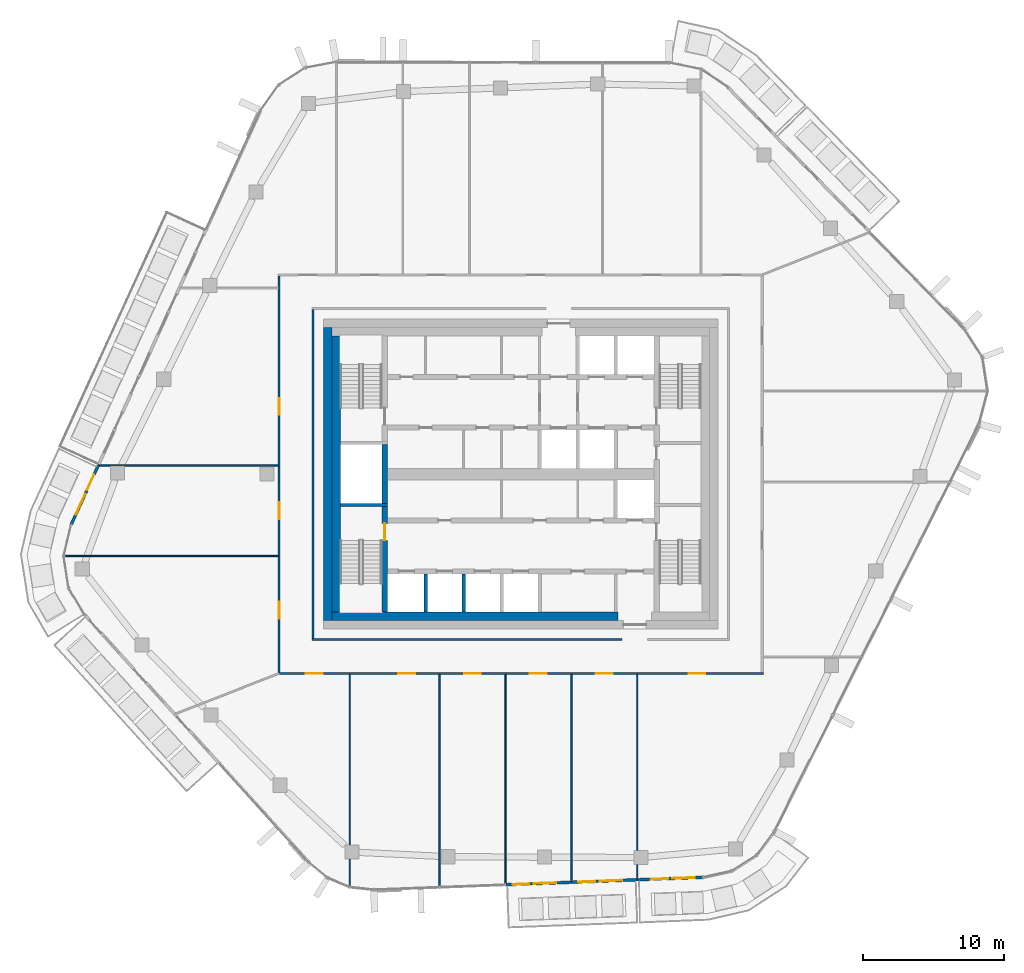
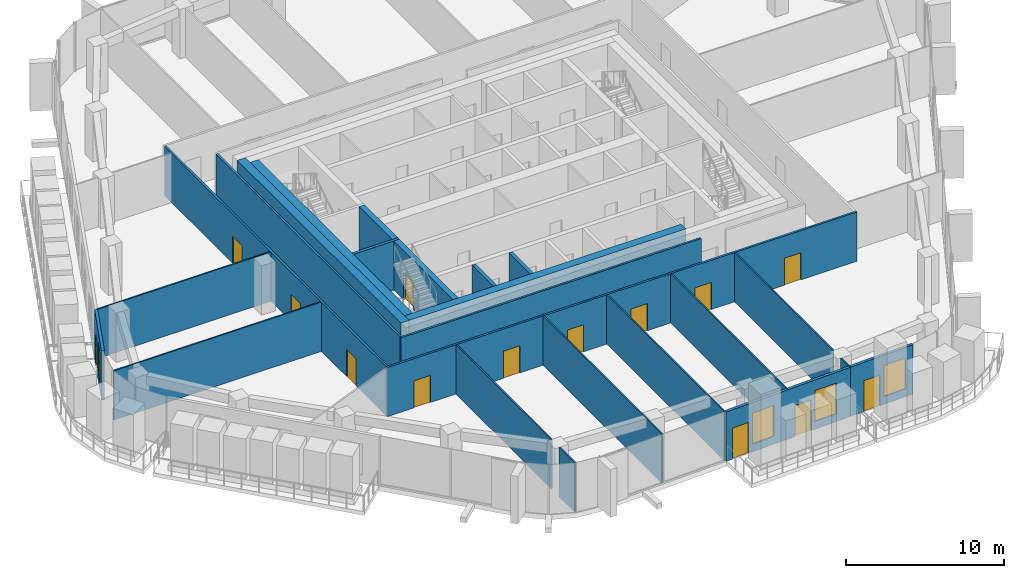
# One storey, part 13 of 23: 24 walls, 14 doors, 4 windows, 18 openings.
"""IFC4 building model written with IfcOpenShell, lengths in metres."""

import ifcopenshell
import ifcopenshell.guid

model = None  # the IFC model being written
_history = None  # IfcOwnerHistory: only IFC2X3 demands one
_inside = {}  # id of a spatial element -> (the spatial element, [elements in it])
_under = {}  # id of a project, library or spatial element -> (it, [spatial elements below it])
_declared = {}  # id of a project -> (the project, [libraries it declares])
_typed = {}  # id of a type object -> (the type object, [elements of that type])
_made_of = {}  # id of a material, layer set ... -> (it, [elements and type objects made of it])


def new_model(schema):
    """Start an empty IFC model of exactly this schema.

    Asked for "IFC4X3", IfcOpenShell would pick the latest addendum, in which some entities
    have other attributes; the version numbers below select the first issue.
    IFC2X3 requires an IfcOwnerHistory on every rooted entity: one is made here for all.
    """
    global model, _history
    if schema == "IFC4X3":
        model = ifcopenshell.file(schema_version=(4, 3, 0, 0))
    else:
        model = ifcopenshell.file(schema=schema)
    _inside.clear()
    _under.clear()
    _declared.clear()
    _typed.clear()
    _made_of.clear()
    _history = None
    if model.schema == "IFC2X3":
        org = make("IfcOrganization", Name="unknown")
        user = make(
            "IfcPersonAndOrganization",
            ThePerson=make("IfcPerson", FamilyName="unknown"),
            TheOrganization=org,
        )
        app = make(
            "IfcApplication",
            ApplicationDeveloper=org,
            Version="unknown",
            ApplicationFullName="unknown",
            ApplicationIdentifier="unknown",
        )
        _history = make(
            "IfcOwnerHistory",
            OwningUser=user,
            OwningApplication=app,
            ChangeAction="ADDED",
            CreationDate=0,
        )
    return model


def make(cls, **values):
    """One entity of the class cls with the attributes given. An attribute that is None is left unset."""
    return model.create_entity(
        cls, **{name: value for name, value in values.items() if value is not None}
    )


def rooted(cls, **values):
    """An entity with a GlobalId (a new one), such as an element, a storey or a relation."""
    return make(cls, GlobalId=ifcopenshell.guid.new(), OwnerHistory=_history, **values)


def si_unit(unit_type, name, prefix=None):
    """IfcSIUnit, for example si_unit("LENGTHUNIT", "METRE", prefix="MILLI")."""
    return make("IfcSIUnit", UnitType=unit_type, Prefix=prefix, Name=name)


def assignment(units):
    """IfcUnitAssignment: the units of a project."""
    return None if units is None else make("IfcUnitAssignment", Units=units)


def point(xyz):
    """IfcCartesianPoint."""
    return None if xyz is None else make("IfcCartesianPoint", Coordinates=xyz)


def direction(xyz):
    """IfcDirection."""
    return None if xyz is None else make("IfcDirection", DirectionRatios=xyz)


def frame(location, z_axis=None, x_axis=None):
    """IfcAxis2Placement3D, a coordinate frame: its origin and axes. An axis left out is left unset."""
    return make(
        "IfcAxis2Placement3D",
        Location=point(location),
        Axis=direction(z_axis),
        RefDirection=direction(x_axis),
    )


def frame_2d(location, x_axis=None):
    """IfcAxis2Placement2D, a coordinate frame in the plane: its origin and x axis."""
    return make(
        "IfcAxis2Placement2D", Location=point(location), RefDirection=direction(x_axis)
    )


def origin():
    """The frame at (0, 0, 0) with its axes left unset."""
    return frame((0.0, 0.0, 0.0))


def place(relative_to, where):
    """IfcLocalPlacement: puts the frame where relative to a parent placement (None: the world)."""
    return make(
        "IfcLocalPlacement", PlacementRelTo=relative_to, RelativePlacement=where
    )


def context(
    kind, dimensions, precision=None, world=None, true_north=None, identifier=None
):
    """IfcGeometricRepresentationContext, for example the 3D "Model" context."""
    return make(
        "IfcGeometricRepresentationContext",
        ContextIdentifier=identifier,
        ContextType=kind,
        CoordinateSpaceDimension=dimensions,
        Precision=precision,
        WorldCoordinateSystem=world,
        TrueNorth=true_north,
    )


def subcontext(parent, identifier, kind, view, scale=None):
    """IfcGeometricRepresentationSubContext, for example "Body" below "Model"."""
    return make(
        "IfcGeometricRepresentationSubContext",
        ContextIdentifier=identifier,
        ContextType=kind,
        ParentContext=parent,
        TargetScale=scale,
        TargetView=view,
    )


def project(units=None, contexts=None):
    """IfcProject with its units and contexts."""
    return rooted(
        "IfcProject",
        Name="project",
        RepresentationContexts=contexts,
        UnitsInContext=assignment(units),
    )


def spatial(cls, under=None, at=None, **own):
    """A site, building, storey or space (cls), placed at a placement, below another one or the project."""
    s = rooted(cls, ObjectPlacement=at, **own)
    if under is not None:
        _under.setdefault(under.id(), (under, []))[1].append(s)
    return s


def profile(cls, at=None, kind="AREA", **sizes):
    """A parametric profile (cls). Its sizes go by their IFC names, for example OverallWidth=200.0."""
    return make(cls, ProfileType=kind, Position=at, **sizes)


def rectangle(**sizes):
    """IfcRectangleProfileDef."""
    return profile("IfcRectangleProfileDef", **sizes)


def extrude(swept, where, along, depth):
    """IfcExtrudedAreaSolid: the profile swept, set in the frame where, extruded along a direction by depth."""
    return make(
        "IfcExtrudedAreaSolid",
        SweptArea=swept,
        Position=where,
        ExtrudedDirection=direction(along),
        Depth=depth,
    )


def shape(context_of_items, identifier, shape_type, items):
    """IfcShapeRepresentation: the items that make up one representation, for example the "Body"."""
    return make(
        "IfcShapeRepresentation",
        ContextOfItems=context_of_items,
        RepresentationIdentifier=identifier,
        RepresentationType=shape_type,
        Items=items,
    )


def material(Name=None, Category=None):
    """IfcMaterial."""
    return make("IfcMaterial", Name=Name, Category=Category)


def layer(
    of_material, thickness, ventilated=None, Name=None, Category=None, Priority=None
):
    """IfcMaterialLayer: one layer of a wall or slab, of a material (None: an air gap)."""
    return make(
        "IfcMaterialLayer",
        Material=of_material,
        LayerThickness=thickness,
        IsVentilated=ventilated,
        Name=Name,
        Category=Category,
        Priority=Priority,
    )


def layer_set(layers, Name=None):
    """IfcMaterialLayerSet."""
    return make("IfcMaterialLayerSet", MaterialLayers=layers, LayerSetName=Name)


def made_of(thing, what):
    """Note that an element or type object is made of a material, layer set ...; save() writes the relation."""
    if what is not None:
        _made_of.setdefault(what.id(), (what, []))[1].append(thing)
    return thing


def type_object(cls, material=None, **own):
    """A type object (cls), such as IfcWallType, which elements share."""
    return made_of(rooted(cls, **own), material)


def element(
    cls,
    number,
    at=None,
    inside=None,
    cuts=None,
    type_object=None,
    material=None,
    context=None,
    identifier="Body",
    shape_type=None,
    held_by="IfcProductDefinitionShape",
    body=None,
    shapes=None,
    **own,
):
    """One element of the class cls, such as IfcWall. Its Tag is "e" and its number.

    at: its placement. inside: the storey or other place that contains it. cuts: it is an
    opening in that element (IfcRelVoidsElement). A single representation is given by context,
    identifier, shape_type and body (its items); several are given by shapes. held_by: the class
    of the entity that holds the representations. save() writes the other relations.
    """
    e = rooted(cls, Tag="e%d" % number, ObjectPlacement=at, **own)
    if body is not None:
        shapes = [shape(context, identifier, shape_type, body)]
    if shapes is not None:
        e.Representation = make(held_by, Representations=shapes)
    if inside is not None:
        _inside.setdefault(inside.id(), (inside, []))[1].append(e)
    if cuts is not None:
        rooted(
            "IfcRelVoidsElement", RelatingBuildingElement=cuts, RelatedOpeningElement=e
        )
    if type_object is not None:
        _typed.setdefault(type_object.id(), (type_object, []))[1].append(e)
    return made_of(e, material)


def fill(opening, filler):
    """IfcRelFillsElement: the door or window that sits in an opening."""
    return rooted(
        "IfcRelFillsElement",
        RelatingOpeningElement=opening,
        RelatedBuildingElement=filler,
    )


def aggregate(whole, parts):
    """IfcRelAggregates: a whole, such as a stair, and the parts it consists of."""
    return rooted("IfcRelAggregates", RelatingObject=whole, RelatedObjects=parts)


def save(model, path):
    """Write the relations noted so far, then the file.

    IfcRelAggregates (storeys below a building ...), IfcRelContainedInSpatialStructure (elements
    in a storey), IfcRelDefinesByType, IfcRelAssociatesMaterial and IfcRelDeclares: one each for
    every whole, place, type object, material and project.
    """
    for whole, parts in _under.values():
        aggregate(whole, parts)
    for where, things in _inside.values():
        rooted(
            "IfcRelContainedInSpatialStructure",
            RelatedElements=things,
            RelatingStructure=where,
        )
    for kind, things in _typed.values():
        rooted("IfcRelDefinesByType", RelatedObjects=things, RelatingType=kind)
    for what, things in _made_of.values():
        rooted("IfcRelAssociatesMaterial", RelatedObjects=things, RelatingMaterial=what)
    for by, libraries in _declared.values():
        rooted("IfcRelDeclares", RelatingContext=by, RelatedDefinitions=libraries)
    model.write(path)


model = new_model("IFC4")

# Units and contexts
model_context = context("Model", 3, precision=1e-05, world=origin(), true_north=direction((0.0, 1.0)))
body_context = subcontext(model_context, "Body", "Model", "MODEL_VIEW")
ifc_project = project(units=[si_unit("LENGTHUNIT", "METRE"), si_unit("AREAUNIT", "SQUARE_METRE"), si_unit("VOLUMEUNIT", "CUBIC_METRE"), si_unit("PLANEANGLEUNIT", "RADIAN"), si_unit("MASSUNIT", "GRAM", prefix="KILO")], contexts=[model_context])

# Site, building, storey
site_placement = place(None, origin())
site = spatial("IfcSite", under=ifc_project, at=site_placement, CompositionType="ELEMENT")
building_placement = place(site_placement, origin())
building = spatial("IfcBuilding", under=site, at=building_placement, Name="Dongbaek Canopy Tower", CompositionType="ELEMENT")
storey_placement = place(building_placement, frame((0.0, 0.0, 315.199951171875)))
storey = spatial("IfcBuildingStorey", under=building, at=storey_placement, Name="L67", CompositionType="ELEMENT", Elevation=315.199951171875)

# Walls
ifc_material_1 = material(Name="Concrete C80/95", Category="concrete")
ifc_layer_1 = layer(ifc_material_1, 0.60009765625)
ifc_layer_set_1 = layer_set([ifc_layer_1], Name="Core outer wall 600 Concrete C80/95")
wall_type_1 = type_object("IfcWallType", Name="Core outer wall 600 Concrete C80/95", PredefinedType="SHEAR", material=ifc_layer_set_1)
wall_1_placement = place(storey_placement, frame((-13.699951171875, -10.39990234375, 0.0), z_axis=(0.0, 0.0, 1.0), x_axis=(0.0, 1.0, 0.0)))
element("IfcWall", 1, at=wall_1_placement, inside=storey, type_object=wall_type_1, Name="Core wall", PredefinedType="SHEAR", context=body_context, shape_type="SweptSolid", body=[
    extrude(rectangle(XDim=20.7998046875, YDim=0.60009765625, at=frame_2d((10.39990234375, 0.0))), origin(), (0.0, 0.0, 1.0), 3.820068359375),
])
ifc_material_2 = material(Name="Concrete C60/75", Category="concrete")
ifc_layer_2 = layer(ifc_material_2, 0.60009765625)
ifc_layer_set_2 = layer_set([ifc_layer_2], Name="Core wall lining 600 Concrete C60/75")
wall_type_2 = type_object("IfcWallType", Name="Core wall lining 600 Concrete C60/75", PredefinedType="SHEAR", material=ifc_layer_set_2)
wall_2_placement = place(storey_placement, frame((6.89990234375, -10.10009765625, 0.0), z_axis=(0.0, 0.0, 1.0), x_axis=(-1.0, 0.0, 0.0)))
element("IfcWall", 2, at=wall_2_placement, inside=storey, type_object=wall_type_2, Name="Core wall lining", PredefinedType="SHEAR", context=body_context, shape_type="SweptSolid", body=[
    extrude(rectangle(XDim=20.2998046875, YDim=0.60009765625, at=frame_2d((10.14990234375, 0.0))), origin(), (0.0, 0.0, 1.0), 3.820068359375),
])
wall_3_placement = place(storey_placement, frame((-13.10009765625, -9.800048828125, 0.0), z_axis=(0.0, 0.0, 1.0), x_axis=(0.0, 1.0, 0.0)))
element("IfcWall", 3, at=wall_3_placement, inside=storey, type_object=wall_type_2, Name="Core wall lining", PredefinedType="SHEAR", context=body_context, shape_type="SweptSolid", body=[
    extrude(rectangle(XDim=19.60009765625, YDim=0.60009765625, at=frame_2d((9.800048828125, 0.0))), origin(), (0.0, 0.0, 1.0), 3.820068359375),
])

# Wall, openings, doors
ifc_material_3 = material(Name="Gypsum board partition, steel stud, 2 x 15 mm fire board", Category="steel")
ifc_layer_3 = layer(ifc_material_3, 0.14990234375)
ifc_layer_set_3 = layer_set([ifc_layer_3], Name="Fire-rated partition 150 gypsum board")
wall_type_3 = type_object("IfcWallType", Name="Fire-rated partition 150 gypsum board", PredefinedType="PARTITIONING", material=ifc_layer_set_3)
wall_4_placement = place(storey_placement, frame((17.22509765625, -14.14990234375, 0.0), z_axis=(0.0, 0.0, 1.0), x_axis=(-1.0, 0.0, 0.0)))
wall_4 = element("IfcWall", 4, at=wall_4_placement, inside=storey, type_object=wall_type_3, Name="Corridor partition", PredefinedType="PARTITIONING", context=body_context, shape_type="SweptSolid", body=[
    extrude(rectangle(XDim=34.4501953125, YDim=0.14990234375, at=frame_2d((17.22509765625, 0.0))), origin(), (0.0, 0.0, 1.0), 3.820068359375),
])
opening_1_placement = place(wall_4_placement, frame((31.268798828125, 0.0, 0.0)))
opening_1 = element("IfcOpeningElement", 5, at=opening_1_placement, cuts=wall_4, Name="Opening L67-D003", PredefinedType="OPENING", context=body_context, shape_type="SweptSolid", body=[
    extrude(rectangle(XDim=1.199951171875, YDim=2.10009765625, at=frame_2d((0.60009765625, 1.050048828125))), frame((0.0, 0.0849609375, 0.0), z_axis=(0.0, -1.0, 0.0), x_axis=(1.0, 0.0, 0.0)), (0.0, 0.0, 1.0), 0.169921875),
])
opening_2_placement = place(wall_4_placement, frame((24.71923828125, 0.0, 0.0)))
opening_2 = element("IfcOpeningElement", 6, at=opening_2_placement, cuts=wall_4, Name="Opening L67-D004", PredefinedType="OPENING", context=body_context, shape_type="SweptSolid", body=[
    extrude(rectangle(XDim=1.199951171875, YDim=2.10009765625, at=frame_2d((0.60009765625, 1.050048828125))), frame((0.0, 0.0849609375, 0.0), z_axis=(0.0, -1.0, 0.0), x_axis=(1.0, 0.0, 0.0)), (0.0, 0.0, 1.0), 0.169921875),
])
opening_3_placement = place(wall_4_placement, frame((20.043701171875, 0.0, 0.0)))
opening_3 = element("IfcOpeningElement", 7, at=opening_3_placement, cuts=wall_4, Name="Opening L67-D005", PredefinedType="OPENING", context=body_context, shape_type="SweptSolid", body=[
    extrude(rectangle(XDim=1.199951171875, YDim=2.10009765625, at=frame_2d((0.60009765625, 1.050048828125))), frame((0.0, 0.0849609375, 0.0), z_axis=(0.0, -1.0, 0.0), x_axis=(1.0, 0.0, 0.0)), (0.0, 0.0, 1.0), 0.169921875),
])
opening_4_placement = place(wall_4_placement, frame((15.3642578125, 0.0, 0.0)))
opening_4 = element("IfcOpeningElement", 8, at=opening_4_placement, cuts=wall_4, Name="Opening L67-D006", PredefinedType="OPENING", context=body_context, shape_type="SweptSolid", body=[
    extrude(rectangle(XDim=1.199951171875, YDim=2.10009765625, at=frame_2d((0.60009765625, 1.050048828125))), frame((0.0, 0.0849609375, 0.0), z_axis=(0.0, -1.0, 0.0), x_axis=(1.0, 0.0, 0.0)), (0.0, 0.0, 1.0), 0.169921875),
])
opening_5_placement = place(wall_4_placement, frame((10.68505859375, 0.0, 0.0)))
opening_5 = element("IfcOpeningElement", 9, at=opening_5_placement, cuts=wall_4, Name="Opening L67-D007", PredefinedType="OPENING", context=body_context, shape_type="SweptSolid", body=[
    extrude(rectangle(XDim=1.199951171875, YDim=2.10009765625, at=frame_2d((0.60009765625, 1.050048828125))), frame((0.0, 0.0849609375, 0.0), z_axis=(0.0, -1.0, 0.0), x_axis=(1.0, 0.0, 0.0)), (0.0, 0.0, 1.0), 0.169921875),
])
opening_6_placement = place(wall_4_placement, frame((4.107421875, 0.0, 0.0)))
opening_6 = element("IfcOpeningElement", 10, at=opening_6_placement, cuts=wall_4, Name="Opening L67-D008", PredefinedType="OPENING", context=body_context, shape_type="SweptSolid", body=[
    extrude(rectangle(XDim=1.199951171875, YDim=2.10009765625, at=frame_2d((0.60009765625, 1.050048828125))), frame((0.0, 0.0849609375, 0.0), z_axis=(0.0, -1.0, 0.0), x_axis=(1.0, 0.0, 0.0)), (0.0, 0.0, 1.0), 0.169921875),
])
ifc_material_4 = material(Name="Timber veneered door leaf", Category="wood")
door_type_1 = type_object("IfcDoorType", Name="Room door 1200 x 2100", OperationType="SINGLE_SWING_LEFT", PredefinedType="DOOR", material=ifc_material_4)
door_1_placement = place(opening_1_placement, origin())
door_1 = element("IfcDoor", 11, at=door_1_placement, inside=storey, type_object=door_type_1, Name="Door L67-D003", OperationType="SINGLE_SWING_RIGHT", OverallHeight=2.10009765625, OverallWidth=1.199951171875, PredefinedType="DOOR", context=body_context, shape_type="SweptSolid", body=[
    extrude(rectangle(XDim=1.199951171875, YDim=2.10009765625, at=frame_2d((0.60009765625, 1.050048828125))), frame((0.0, 0.02490234375, 0.0), z_axis=(0.0, -1.0, 0.0), x_axis=(1.0, 0.0, 0.0)), (0.0, 0.0, 1.0), 0.050048828125),
])
fill(opening_1, door_1)
door_2_placement = place(opening_2_placement, origin())
door_2 = element("IfcDoor", 12, at=door_2_placement, inside=storey, type_object=door_type_1, Name="Door L67-D004", OperationType="SINGLE_SWING_LEFT", OverallHeight=2.10009765625, OverallWidth=1.199951171875, PredefinedType="DOOR", context=body_context, shape_type="SweptSolid", body=[
    extrude(rectangle(XDim=1.199951171875, YDim=2.10009765625, at=frame_2d((0.60009765625, 1.050048828125))), frame((0.0, 0.02490234375, 0.0), z_axis=(0.0, -1.0, 0.0), x_axis=(1.0, 0.0, 0.0)), (0.0, 0.0, 1.0), 0.050048828125),
])
fill(opening_2, door_2)
door_3_placement = place(opening_3_placement, origin())
door_3 = element("IfcDoor", 13, at=door_3_placement, inside=storey, type_object=door_type_1, Name="Door L67-D005", OperationType="SINGLE_SWING_RIGHT", OverallHeight=2.10009765625, OverallWidth=1.199951171875, PredefinedType="DOOR", context=body_context, shape_type="SweptSolid", body=[
    extrude(rectangle(XDim=1.199951171875, YDim=2.10009765625, at=frame_2d((0.60009765625, 1.050048828125))), frame((0.0, 0.02490234375, 0.0), z_axis=(0.0, -1.0, 0.0), x_axis=(1.0, 0.0, 0.0)), (0.0, 0.0, 1.0), 0.050048828125),
])
fill(opening_3, door_3)
door_4_placement = place(opening_4_placement, origin())
door_4 = element("IfcDoor", 14, at=door_4_placement, inside=storey, type_object=door_type_1, Name="Door L67-D006", OperationType="SINGLE_SWING_LEFT", OverallHeight=2.10009765625, OverallWidth=1.199951171875, PredefinedType="DOOR", context=body_context, shape_type="SweptSolid", body=[
    extrude(rectangle(XDim=1.199951171875, YDim=2.10009765625, at=frame_2d((0.60009765625, 1.050048828125))), frame((0.0, 0.02490234375, 0.0), z_axis=(0.0, -1.0, 0.0), x_axis=(1.0, 0.0, 0.0)), (0.0, 0.0, 1.0), 0.050048828125),
])
fill(opening_4, door_4)
door_5_placement = place(opening_5_placement, origin())
door_5 = element("IfcDoor", 15, at=door_5_placement, inside=storey, type_object=door_type_1, Name="Door L67-D007", OperationType="SINGLE_SWING_RIGHT", OverallHeight=2.10009765625, OverallWidth=1.199951171875, PredefinedType="DOOR", context=body_context, shape_type="SweptSolid", body=[
    extrude(rectangle(XDim=1.199951171875, YDim=2.10009765625, at=frame_2d((0.60009765625, 1.050048828125))), frame((0.0, 0.02490234375, 0.0), z_axis=(0.0, -1.0, 0.0), x_axis=(1.0, 0.0, 0.0)), (0.0, 0.0, 1.0), 0.050048828125),
])
fill(opening_5, door_5)
door_6_placement = place(opening_6_placement, origin())
door_6 = element("IfcDoor", 16, at=door_6_placement, inside=storey, type_object=door_type_1, Name="Door L67-D008", OperationType="SINGLE_SWING_LEFT", OverallHeight=2.10009765625, OverallWidth=1.199951171875, PredefinedType="DOOR", context=body_context, shape_type="SweptSolid", body=[
    extrude(rectangle(XDim=1.199951171875, YDim=2.10009765625, at=frame_2d((0.60009765625, 1.050048828125))), frame((0.0, 0.02490234375, 0.0), z_axis=(0.0, -1.0, 0.0), x_axis=(1.0, 0.0, 0.0)), (0.0, 0.0, 1.0), 0.050048828125),
])
fill(opening_6, door_6)

# Walls
wall_5_placement = place(storey_placement, frame((-14.824951171875, -11.75, 0.0), z_axis=(0.0, 0.0, 1.0), x_axis=(1.0, 0.0, 0.0)))
element("IfcWall", 17, at=wall_5_placement, inside=storey, type_object=wall_type_3, Name="Corridor partition", PredefinedType="PARTITIONING", context=body_context, shape_type="SweptSolid", body=[
    extrude(rectangle(XDim=22.02490234375, YDim=0.14990234375, at=frame_2d((11.012451171875, 0.0))), origin(), (0.0, 0.0, 1.0), 3.820068359375),
])
wall_6_placement = place(storey_placement, frame((-14.75, -11.675048828125, 0.0), z_axis=(0.0, 0.0, 1.0), x_axis=(0.0, 1.0, 0.0)))
element("IfcWall", 18, at=wall_6_placement, inside=storey, type_object=wall_type_3, Name="Corridor partition", PredefinedType="PARTITIONING", context=body_context, shape_type="SweptSolid", body=[
    extrude(rectangle(XDim=23.35009765625, YDim=0.14990234375, at=frame_2d((11.675048828125, 0.0))), origin(), (0.0, 0.0, 1.0), 3.820068359375),
])

# Wall, openings, doors
wall_7_placement = place(storey_placement, frame((-17.14990234375, -14.074951171875, 0.0), z_axis=(0.0, 0.0, 1.0), x_axis=(0.0, 1.0, 0.0)))
wall_7 = element("IfcWall", 19, at=wall_7_placement, inside=storey, type_object=wall_type_3, Name="Corridor partition", PredefinedType="PARTITIONING", context=body_context, shape_type="SweptSolid", body=[
    extrude(rectangle(XDim=28.14990234375, YDim=0.14990234375, at=frame_2d((14.074951171875, 0.0))), origin(), (0.0, 0.0, 1.0), 3.820068359375),
])
opening_7_placement = place(wall_7_placement, frame((10.8671875, 0.0, 0.0)))
opening_7 = element("IfcOpeningElement", 20, at=opening_7_placement, cuts=wall_7, Name="Opening L67-D001", PredefinedType="OPENING", context=body_context, shape_type="SweptSolid", body=[
    extrude(rectangle(XDim=1.199951171875, YDim=2.10009765625, at=frame_2d((0.60009765625, 1.050048828125))), frame((0.0, 0.0849609375, 0.0), z_axis=(0.0, -1.0, 0.0), x_axis=(1.0, 0.0, 0.0)), (0.0, 0.0, 1.0), 0.169921875),
])
opening_8_placement = place(wall_7_placement, frame((3.80078125, 0.0, 0.0)))
opening_8 = element("IfcOpeningElement", 21, at=opening_8_placement, cuts=wall_7, Name="Opening L67-D002", PredefinedType="OPENING", context=body_context, shape_type="SweptSolid", body=[
    extrude(rectangle(XDim=1.199951171875, YDim=2.10009765625, at=frame_2d((0.60009765625, 1.050048828125))), frame((0.0, 0.0849609375, 0.0), z_axis=(0.0, -1.0, 0.0), x_axis=(1.0, 0.0, 0.0)), (0.0, 0.0, 1.0), 0.169921875),
])
opening_9_placement = place(wall_7_placement, frame((18.279052734375, 0.0, 0.0)))
opening_9 = element("IfcOpeningElement", 22, at=opening_9_placement, cuts=wall_7, Name="Opening L67-D018", PredefinedType="OPENING", context=body_context, shape_type="SweptSolid", body=[
    extrude(rectangle(XDim=1.199951171875, YDim=2.10009765625, at=frame_2d((0.60009765625, 1.050048828125))), frame((0.0, 0.0849609375, 0.0), z_axis=(0.0, -1.0, 0.0), x_axis=(1.0, 0.0, 0.0)), (0.0, 0.0, 1.0), 0.169921875),
])
door_7_placement = place(opening_7_placement, origin())
door_7 = element("IfcDoor", 23, at=door_7_placement, inside=storey, type_object=door_type_1, Name="Door L67-D001", OperationType="SINGLE_SWING_RIGHT", OverallHeight=2.10009765625, OverallWidth=1.199951171875, PredefinedType="DOOR", context=body_context, shape_type="SweptSolid", body=[
    extrude(rectangle(XDim=1.199951171875, YDim=2.10009765625, at=frame_2d((0.60009765625, 1.050048828125))), frame((0.0, 0.02490234375, 0.0), z_axis=(0.0, -1.0, 0.0), x_axis=(1.0, 0.0, 0.0)), (0.0, 0.0, 1.0), 0.050048828125),
])
fill(opening_7, door_7)
door_8_placement = place(opening_8_placement, origin())
door_8 = element("IfcDoor", 24, at=door_8_placement, inside=storey, type_object=door_type_1, Name="Door L67-D002", OperationType="SINGLE_SWING_LEFT", OverallHeight=2.10009765625, OverallWidth=1.199951171875, PredefinedType="DOOR", context=body_context, shape_type="SweptSolid", body=[
    extrude(rectangle(XDim=1.199951171875, YDim=2.10009765625, at=frame_2d((0.60009765625, 1.050048828125))), frame((0.0, 0.02490234375, 0.0), z_axis=(0.0, -1.0, 0.0), x_axis=(1.0, 0.0, 0.0)), (0.0, 0.0, 1.0), 0.050048828125),
])
fill(opening_8, door_8)
door_9_placement = place(opening_9_placement, origin())
door_9 = element("IfcDoor", 25, at=door_9_placement, inside=storey, type_object=door_type_1, Name="Door L67-D018", OperationType="SINGLE_SWING_LEFT", OverallHeight=2.10009765625, OverallWidth=1.199951171875, PredefinedType="DOOR", context=body_context, shape_type="SweptSolid", body=[
    extrude(rectangle(XDim=1.199951171875, YDim=2.10009765625, at=frame_2d((0.60009765625, 1.050048828125))), frame((0.0, 0.02490234375, 0.0), z_axis=(0.0, -1.0, 0.0), x_axis=(1.0, 0.0, 0.0)), (0.0, 0.0, 1.0), 0.050048828125),
])
fill(opening_9, door_9)

# Walls
ifc_material_5 = material(Name="Concrete C40/50", Category="concrete")
ifc_layer_4 = layer(ifc_material_5, 0.25)
ifc_layer_set_4 = layer_set([ifc_layer_4], Name="Lift shaft wall 250 Concrete C40/50")
wall_type_4 = type_object("IfcWallType", Name="Lift shaft wall 250 Concrete C40/50", PredefinedType="SOLIDWALL", material=ifc_layer_set_4)
for number, where, z_axis, x_axis, name in (
    (26, (-4.050048828125, -9.800048828125, 0.0), (0.0, 0.0, 1.0), (0.0, 1.0, 0.0), "Lift shaft wall"),
    (27, (-6.75, -9.800048828125, 0.0), (0.0, 0.0, 1.0), (0.0, 1.0, 0.0), "Lift shaft wall"),
):
    element("IfcWall", number, at=place(storey_placement, frame(where, z_axis=z_axis, x_axis=x_axis)), inside=storey, type_object=wall_type_4, Name=name, PredefinedType="SOLIDWALL", context=body_context, shape_type="SweptSolid", body=[
        extrude(rectangle(XDim=2.72509765625, YDim=0.25, at=frame_2d((1.362548828125, 0.0))), origin(), (0.0, 0.0, 1.0), 3.820068359375),
    ])
ifc_material_6 = material(Name="Gypsum board partition, steel stud, 2 x 12.5 mm board", Category="steel")
ifc_layer_5 = layer(ifc_material_6, 0.10009765625)
ifc_layer_set_5 = layer_set([ifc_layer_5], Name="Partition 100 gypsum board")
wall_type_5 = type_object("IfcWallType", Name="Partition 100 gypsum board", PredefinedType="PARTITIONING", material=ifc_layer_set_5)
wall_8_placement = place(storey_placement, frame((-32.431396484375, -5.81591796875, 0.0), z_axis=(0.0, 0.0, 1.0), x_axis=(1.0, 0.0, 0.0)))
element("IfcWall", 28, at=wall_8_placement, inside=storey, type_object=wall_type_5, Name="Partition", PredefinedType="PARTITIONING", context=body_context, shape_type="SweptSolid", body=[
    extrude(rectangle(XDim=15.206298828125, YDim=0.10009765625, at=frame_2d((7.60302734375, 0.0))), origin(), (0.0, 0.0, 1.0), 3.820068359375),
])
wall_9_placement = place(storey_placement, frame((-29.9814453125, 0.60107421875, 0.0), z_axis=(0.0, 0.0, 1.0), x_axis=(1.0, 0.0, 0.0)))
element("IfcWall", 29, at=wall_9_placement, inside=storey, type_object=wall_type_5, Name="Partition", PredefinedType="PARTITIONING", context=body_context, shape_type="SweptSolid", body=[
    extrude(rectangle(XDim=12.75634765625, YDim=0.10009765625, at=frame_2d((6.378173828125, 0.0))), origin(), (0.0, 0.0, 1.0), 3.820068359375),
])
wall_10_placement = place(storey_placement, frame((8.280029296875, -28.7822265625, 0.0), z_axis=(0.0, 0.0, 1.0), x_axis=(0.0, 1.0, 0.0)))
element("IfcWall", 30, at=wall_10_placement, inside=storey, type_object=wall_type_5, Name="Partition", PredefinedType="PARTITIONING", context=body_context, shape_type="SweptSolid", body=[
    extrude(rectangle(XDim=1.05517578125, YDim=0.10009765625, at=frame_2d((0.527587890625, 0.0))), origin(), (0.0, 0.0, 1.0), 3.820068359375),
])
wall_11_placement = place(storey_placement, frame((8.280029296875, -26.72705078125, 0.0), z_axis=(0.0, 0.0, 1.0), x_axis=(0.0, 1.0, 0.0)))
element("IfcWall", 31, at=wall_11_placement, inside=storey, type_object=wall_type_5, Name="Partition", PredefinedType="PARTITIONING", context=body_context, shape_type="SweptSolid", body=[
    extrude(rectangle(XDim=12.501953125, YDim=0.10009765625, at=frame_2d((6.2509765625, 0.0))), origin(), (0.0, 0.0, 1.0), 3.820068359375),
])
wall_12_placement = place(storey_placement, frame((3.60009765625, -28.958740234375, 0.0), z_axis=(0.0, 0.0, 1.0), x_axis=(0.0, 1.0, 0.0)))
element("IfcWall", 32, at=wall_12_placement, inside=storey, type_object=wall_type_5, Name="Partition", PredefinedType="PARTITIONING", context=body_context, shape_type="SweptSolid", body=[
    extrude(rectangle(XDim=14.733642578125, YDim=0.10009765625, at=frame_2d((7.36669921875, 0.0))), origin(), (0.0, 0.0, 1.0), 3.820068359375),
])
wall_13_placement = place(storey_placement, frame((-1.0791015625, -29.135498046875, 0.0), z_axis=(0.0, 0.0, 1.0), x_axis=(0.0, 1.0, 0.0)))
element("IfcWall", 33, at=wall_13_placement, inside=storey, type_object=wall_type_5, Name="Partition", PredefinedType="PARTITIONING", context=body_context, shape_type="SweptSolid", body=[
    extrude(rectangle(XDim=14.910400390625, YDim=0.10009765625, at=frame_2d((7.455078125, 0.0))), origin(), (0.0, 0.0, 1.0), 3.820068359375),
])
wall_14_placement = place(storey_placement, frame((-5.758056640625, -29.31201171875, 0.0), z_axis=(0.0, 0.0, 1.0), x_axis=(0.0, 1.0, 0.0)))
element("IfcWall", 34, at=wall_14_placement, inside=storey, type_object=wall_type_5, Name="Partition", PredefinedType="PARTITIONING", context=body_context, shape_type="SweptSolid", body=[
    extrude(rectangle(XDim=15.0869140625, YDim=0.10009765625, at=frame_2d((7.54345703125, 0.0))), origin(), (0.0, 0.0, 1.0), 3.820068359375),
])
wall_15_placement = place(storey_placement, frame((-12.136962890625, -29.302001953125, 0.0), z_axis=(0.0, 0.0, 1.0), x_axis=(0.0, 1.0, 0.0)))
element("IfcWall", 35, at=wall_15_placement, inside=storey, type_object=wall_type_5, Name="Partition", PredefinedType="PARTITIONING", context=body_context, shape_type="SweptSolid", body=[
    extrude(rectangle(XDim=1.970947265625, YDim=0.10009765625, at=frame_2d((0.9853515625, 0.0))), origin(), (0.0, 0.0, 1.0), 3.820068359375),
])
wall_16_placement = place(storey_placement, frame((-12.136962890625, -26.3310546875, 0.0), z_axis=(0.0, 0.0, 1.0), x_axis=(0.0, 1.0, 0.0)))
element("IfcWall", 36, at=wall_16_placement, inside=storey, type_object=wall_type_5, Name="Partition", PredefinedType="PARTITIONING", context=body_context, shape_type="SweptSolid", body=[
    extrude(rectangle(XDim=12.10595703125, YDim=0.10009765625, at=frame_2d((6.052978515625, 0.0))), origin(), (0.0, 0.0, 1.0), 3.820068359375),
])
ifc_material_7 = material(Name="Concrete C60/75", Category="concrete")
ifc_layer_6 = layer(ifc_material_7, 0.199951171875)
ifc_layer_set_6 = layer_set([ifc_layer_6], Name="Riser wall 200 Concrete C60/75")
wall_type_6 = type_object("IfcWallType", Name="Riser wall 200 Concrete C60/75", PredefinedType="SHEAR", material=ifc_layer_set_6)
wall_17_placement = place(storey_placement, frame((-9.449951171875, -2.199951171875, 0.0), z_axis=(0.0, 0.0, 1.0), x_axis=(-1.0, 0.0, 0.0)))
element("IfcWall", 37, at=wall_17_placement, inside=storey, type_object=wall_type_6, Name="Riser wall", PredefinedType="SHEAR", context=body_context, shape_type="SweptSolid", body=[
    extrude(rectangle(XDim=3.35009765625, YDim=0.199951171875, at=frame_2d((1.675048828125, 0.0))), origin(), (0.0, 0.0, 1.0), 3.820068359375),
])

# Wall, opening, door
ifc_material_8 = material(Name="Concrete C60/75", Category="concrete")
ifc_layer_7 = layer(ifc_material_8, 0.39990234375)
ifc_layer_set_7 = layer_set([ifc_layer_7], Name="Stair wall 400 Concrete C60/75")
wall_type_7 = type_object("IfcWallType", Name="Stair wall 400 Concrete C60/75", PredefinedType="SHEAR", material=ifc_layer_set_7)
wall_18_placement = place(storey_placement, frame((-9.64990234375, -9.800048828125, 0.0), z_axis=(0.0, 0.0, 1.0), x_axis=(0.0, 1.0, 0.0)))
wall_18 = element("IfcWall", 38, at=wall_18_placement, inside=storey, type_object=wall_type_7, Name="Stair wall", PredefinedType="SHEAR", context=body_context, shape_type="SweptSolid", body=[
    extrude(rectangle(XDim=7.5, YDim=0.39990234375, at=frame_2d((3.75, 0.0))), origin(), (0.0, 0.0, 1.0), 3.820068359375),
])
opening_10_placement = place(wall_18_placement, frame((5.10009765625, 0.0, 0.0)))
opening_10 = element("IfcOpeningElement", 39, at=opening_10_placement, cuts=wall_18, Name="Opening L67-D047", PredefinedType="OPENING", context=body_context, shape_type="SweptSolid", body=[
    extrude(rectangle(XDim=1.199951171875, YDim=2.10009765625, at=frame_2d((0.60009765625, 1.050048828125))), frame((0.0, 0.2099609375, 0.0), z_axis=(0.0, -1.0, 0.0), x_axis=(1.0, 0.0, 0.0)), (0.0, 0.0, 1.0), 0.419921875),
])
ifc_material_9 = material(Name="Steel", Category="steel")
door_type_2 = type_object("IfcDoorType", Name="Stair door 1200 x 2100", OperationType="SINGLE_SWING_LEFT", PredefinedType="DOOR", material=ifc_material_9)
door_10_placement = place(opening_10_placement, origin())
door_10 = element("IfcDoor", 40, at=door_10_placement, inside=storey, type_object=door_type_2, Name="Stair D door", OperationType="SINGLE_SWING_LEFT", OverallHeight=2.10009765625, OverallWidth=1.199951171875, PredefinedType="DOOR", context=body_context, shape_type="SweptSolid", body=[
    extrude(rectangle(XDim=1.199951171875, YDim=2.10009765625, at=frame_2d((0.60009765625, 1.050048828125))), frame((0.0, 0.02490234375, 0.0), z_axis=(0.0, -1.0, 0.0), x_axis=(1.0, 0.0, 0.0)), (0.0, 0.0, 1.0), 0.050048828125),
])
fill(opening_10, door_10)

# Wall
wall_19_placement = place(storey_placement, frame((-9.64990234375, -2.10009765625, 0.0), z_axis=(0.0, 0.0, 1.0), x_axis=(0.0, 1.0, 0.0)))
element("IfcWall", 41, at=wall_19_placement, inside=storey, type_object=wall_type_7, Name="Stair wall", PredefinedType="SHEAR", context=body_context, shape_type="SweptSolid", body=[
    extrude(rectangle(XDim=4.2001953125, YDim=0.39990234375, at=frame_2d((2.10009765625, 0.0))), origin(), (0.0, 0.0, 1.0), 3.820068359375),
])

# Wall, openings, door, window
ifc_material_10 = material(Name="Aluminium window wall", Category="aluminium")
ifc_layer_8 = layer(ifc_material_10, 0.199951171875)
ifc_layer_set_8 = layer_set([ifc_layer_8], Name="Window wall 200")
wall_type_8 = type_object("IfcWallType", Name="Window wall 200", PredefinedType="SOLIDWALL", material=ifc_layer_set_8)
wall_20_placement = place(storey_placement, frame((-30.00341796875, 0.6005859375, 0.0), z_axis=(0.0, 0.0, 1.0), x_axis=(-0.415728482872, -0.909488773174, 0.0)))
wall_20 = element("IfcWall", 42, at=wall_20_placement, inside=storey, type_object=wall_type_8, Name="Window wall L67 6", PredefinedType="SOLIDWALL", context=body_context, shape_type="SweptSolid", body=[
    extrude(rectangle(XDim=4.61181640625, YDim=0.199951171875, at=frame_2d((2.305908203125, 0.0))), origin(), (0.0, 0.0, 1.0), 3.820068359375),
])
opening_11_placement = place(wall_20_placement, frame((2.199951171875, 0.0, 0.60009765625)))
opening_11 = element("IfcOpeningElement", 43, at=opening_11_placement, cuts=wall_20, Name="Opening W1", PredefinedType="OPENING", context=body_context, shape_type="SweptSolid", body=[
    extrude(rectangle(XDim=1.60009765625, YDim=2.39990234375, at=frame_2d((0.800048828125, 1.199951171875))), frame((0.0, 0.10986328125, 0.0), z_axis=(0.0, -1.0, 0.0), x_axis=(1.0, 0.0, 0.0)), (0.0, 0.0, 1.0), 0.219970703125),
])
opening_12_placement = place(wall_20_placement, frame((0.699951171875, 0.0, 0.0)))
opening_12 = element("IfcOpeningElement", 44, at=opening_12_placement, cuts=wall_20, Name="Opening L67-B08", PredefinedType="OPENING", context=body_context, shape_type="SweptSolid", body=[
    extrude(rectangle(XDim=1.199951171875, YDim=2.39990234375, at=frame_2d((0.60009765625, 1.199951171875))), frame((0.0, 0.10986328125, 0.0), z_axis=(0.0, -1.0, 0.0), x_axis=(1.0, 0.0, 0.0)), (0.0, 0.0, 1.0), 0.219970703125),
])
ifc_material_11 = material(Name="Clear glazing in aluminium frame", Category="aluminium")
door_type_3 = type_object("IfcDoorType", Name="Balcony door BD1 1200 x 2400", OperationType="SLIDING_TO_LEFT", PredefinedType="DOOR", material=ifc_material_11)
door_11_placement = place(opening_12_placement, origin())
door_11 = element("IfcDoor", 45, at=door_11_placement, inside=storey, type_object=door_type_3, Name="Balcony door L67-B08", OperationType="SLIDING_TO_LEFT", OverallHeight=2.39990234375, OverallWidth=1.199951171875, PredefinedType="DOOR", context=body_context, shape_type="SweptSolid", body=[
    extrude(rectangle(XDim=1.199951171875, YDim=2.39990234375, at=frame_2d((0.60009765625, 1.199951171875))), frame((0.0, 0.02490234375, 0.0), z_axis=(0.0, -1.0, 0.0), x_axis=(1.0, 0.0, 0.0)), (0.0, 0.0, 1.0), 0.050048828125),
])
fill(opening_12, door_11)
ifc_material_12 = material(Name="Clear glazing in aluminium frame", Category="aluminium")
window_type = type_object("IfcWindowType", Name="Window W1 1600 x 2400", PartitioningType="SINGLE_PANEL", PredefinedType="WINDOW", material=ifc_material_12)
window_1_placement = place(opening_11_placement, origin())
window_1 = element("IfcWindow", 46, at=window_1_placement, inside=storey, type_object=window_type, Name="Window L67 6.1", OverallHeight=2.39990234375, OverallWidth=1.60009765625, PartitioningType="SINGLE_PANEL", PredefinedType="WINDOW", context=body_context, shape_type="SweptSolid", body=[
    extrude(rectangle(XDim=1.60009765625, YDim=2.39990234375, at=frame_2d((0.800048828125, 1.199951171875))), frame((0.0, 0.030029296875, 0.0), z_axis=(0.0, -1.0, 0.0), x_axis=(1.0, 0.0, 0.0)), (0.0, 0.0, 1.0), 0.06005859375),
])
fill(opening_11, window_1)

# Wall, openings, doors, windows
wall_21_placement = place(storey_placement, frame((-1.078857421875, -29.155517578125, 0.0), z_axis=(0.0, 0.0, 1.0), x_axis=(0.999288261827, 0.037722271597, 0.0)))
wall_21 = element("IfcWall", 47, at=wall_21_placement, inside=storey, type_object=wall_type_8, Name="Window wall L67 4", PredefinedType="SOLIDWALL", context=body_context, shape_type="SweptSolid", body=[
    extrude(rectangle(XDim=9.364990234375, YDim=0.199951171875, at=frame_2d((4.6826171875, 0.0))), origin(), (0.0, 0.0, 1.0), 3.820068359375),
])
opening_13_placement = place(wall_21_placement, frame((2.0, 0.0, 0.60009765625)))
opening_13 = element("IfcOpeningElement", 48, at=opening_13_placement, cuts=wall_21, Name="Opening W1", PredefinedType="OPENING", context=body_context, shape_type="SweptSolid", body=[
    extrude(rectangle(XDim=1.60009765625, YDim=2.39990234375, at=frame_2d((0.800048828125, 1.199951171875))), frame((0.0, 0.10986328125, 0.0), z_axis=(0.0, -1.0, 0.0), x_axis=(1.0, 0.0, 0.0)), (0.0, 0.0, 1.0), 0.219970703125),
])
opening_14_placement = place(wall_21_placement, frame((0.5, 0.0, 0.0)))
opening_14 = element("IfcOpeningElement", 49, at=opening_14_placement, cuts=wall_21, Name="Opening L67-B12", PredefinedType="OPENING", context=body_context, shape_type="SweptSolid", body=[
    extrude(rectangle(XDim=1.199951171875, YDim=2.39990234375, at=frame_2d((0.60009765625, 1.199951171875))), frame((0.0, 0.10986328125, 0.0), z_axis=(0.0, -1.0, 0.0), x_axis=(1.0, 0.0, 0.0)), (0.0, 0.0, 1.0), 0.219970703125),
])
opening_15_placement = place(wall_21_placement, frame((6.6826171875, 0.0, 0.60009765625)))
opening_15 = element("IfcOpeningElement", 50, at=opening_15_placement, cuts=wall_21, Name="Opening W1", PredefinedType="OPENING", context=body_context, shape_type="SweptSolid", body=[
    extrude(rectangle(XDim=1.60009765625, YDim=2.39990234375, at=frame_2d((0.800048828125, 1.199951171875))), frame((0.0, 0.10986328125, 0.0), z_axis=(0.0, -1.0, 0.0), x_axis=(1.0, 0.0, 0.0)), (0.0, 0.0, 1.0), 0.219970703125),
])
opening_16_placement = place(wall_21_placement, frame((5.1826171875, 0.0, 0.0)))
opening_16 = element("IfcOpeningElement", 51, at=opening_16_placement, cuts=wall_21, Name="Opening L67-B13", PredefinedType="OPENING", context=body_context, shape_type="SweptSolid", body=[
    extrude(rectangle(XDim=1.199951171875, YDim=2.39990234375, at=frame_2d((0.60009765625, 1.199951171875))), frame((0.0, 0.10986328125, 0.0), z_axis=(0.0, -1.0, 0.0), x_axis=(1.0, 0.0, 0.0)), (0.0, 0.0, 1.0), 0.219970703125),
])
door_12_placement = place(opening_14_placement, origin())
door_12 = element("IfcDoor", 52, at=door_12_placement, inside=storey, type_object=door_type_3, Name="Balcony door L67-B12", OperationType="SLIDING_TO_LEFT", OverallHeight=2.39990234375, OverallWidth=1.199951171875, PredefinedType="DOOR", context=body_context, shape_type="SweptSolid", body=[
    extrude(rectangle(XDim=1.199951171875, YDim=2.39990234375, at=frame_2d((0.60009765625, 1.199951171875))), frame((0.0, 0.02490234375, 0.0), z_axis=(0.0, -1.0, 0.0), x_axis=(1.0, 0.0, 0.0)), (0.0, 0.0, 1.0), 0.050048828125),
])
fill(opening_14, door_12)
door_13_placement = place(opening_16_placement, origin())
door_13 = element("IfcDoor", 53, at=door_13_placement, inside=storey, type_object=door_type_3, Name="Balcony door L67-B13", OperationType="SLIDING_TO_LEFT", OverallHeight=2.39990234375, OverallWidth=1.199951171875, PredefinedType="DOOR", context=body_context, shape_type="SweptSolid", body=[
    extrude(rectangle(XDim=1.199951171875, YDim=2.39990234375, at=frame_2d((0.60009765625, 1.199951171875))), frame((0.0, 0.02490234375, 0.0), z_axis=(0.0, -1.0, 0.0), x_axis=(1.0, 0.0, 0.0)), (0.0, 0.0, 1.0), 0.050048828125),
])
fill(opening_16, door_13)
window_2_placement = place(opening_13_placement, origin())
window_2 = element("IfcWindow", 54, at=window_2_placement, inside=storey, type_object=window_type, Name="Window L67 4.1", OverallHeight=2.39990234375, OverallWidth=1.60009765625, PartitioningType="SINGLE_PANEL", PredefinedType="WINDOW", context=body_context, shape_type="SweptSolid", body=[
    extrude(rectangle(XDim=1.60009765625, YDim=2.39990234375, at=frame_2d((0.800048828125, 1.199951171875))), frame((0.0, 0.030029296875, 0.0), z_axis=(0.0, -1.0, 0.0), x_axis=(1.0, 0.0, 0.0)), (0.0, 0.0, 1.0), 0.06005859375),
])
fill(opening_13, window_2)
window_3_placement = place(opening_15_placement, origin())
window_3 = element("IfcWindow", 55, at=window_3_placement, inside=storey, type_object=window_type, Name="Window L67 4.2", OverallHeight=2.39990234375, OverallWidth=1.60009765625, PartitioningType="SINGLE_PANEL", PredefinedType="WINDOW", context=body_context, shape_type="SweptSolid", body=[
    extrude(rectangle(XDim=1.60009765625, YDim=2.39990234375, at=frame_2d((0.800048828125, 1.199951171875))), frame((0.0, 0.030029296875, 0.0), z_axis=(0.0, -1.0, 0.0), x_axis=(1.0, 0.0, 0.0)), (0.0, 0.0, 1.0), 0.06005859375),
])
fill(opening_15, window_3)

# Wall, openings, door, window
wall_22_placement = place(storey_placement, frame((8.279541015625, -28.80224609375, 0.0), z_axis=(0.0, 0.0, 1.0), x_axis=(0.999288539502, 0.037714915082, 0.0)))
wall_22 = element("IfcWall", 56, at=wall_22_placement, inside=storey, type_object=wall_type_8, Name="Window wall L67 7", PredefinedType="SOLIDWALL", context=body_context, shape_type="SweptSolid", body=[
    extrude(rectangle(XDim=4.673828125, YDim=0.199951171875, at=frame_2d((2.3369140625, 0.0))), origin(), (0.0, 0.0, 1.0), 3.820068359375),
])
opening_17_placement = place(wall_22_placement, frame((2.5, 0.0, 0.60009765625)))
opening_17 = element("IfcOpeningElement", 57, at=opening_17_placement, cuts=wall_22, Name="Opening W1", PredefinedType="OPENING", context=body_context, shape_type="SweptSolid", body=[
    extrude(rectangle(XDim=1.60009765625, YDim=2.39990234375, at=frame_2d((0.800048828125, 1.199951171875))), frame((0.0, 0.10986328125, 0.0), z_axis=(0.0, -1.0, 0.0), x_axis=(1.0, 0.0, 0.0)), (0.0, 0.0, 1.0), 0.219970703125),
])
opening_18_placement = place(wall_22_placement, frame((1.0, 0.0, 0.0)))
opening_18 = element("IfcOpeningElement", 58, at=opening_18_placement, cuts=wall_22, Name="Opening L67-B14", PredefinedType="OPENING", context=body_context, shape_type="SweptSolid", body=[
    extrude(rectangle(XDim=1.199951171875, YDim=2.39990234375, at=frame_2d((0.60009765625, 1.199951171875))), frame((0.0, 0.10986328125, 0.0), z_axis=(0.0, -1.0, 0.0), x_axis=(1.0, 0.0, 0.0)), (0.0, 0.0, 1.0), 0.219970703125),
])
door_14_placement = place(opening_18_placement, origin())
door_14 = element("IfcDoor", 59, at=door_14_placement, inside=storey, type_object=door_type_3, Name="Balcony door L67-B14", OperationType="SLIDING_TO_LEFT", OverallHeight=2.39990234375, OverallWidth=1.199951171875, PredefinedType="DOOR", context=body_context, shape_type="SweptSolid", body=[
    extrude(rectangle(XDim=1.199951171875, YDim=2.39990234375, at=frame_2d((0.60009765625, 1.199951171875))), frame((0.0, 0.02490234375, 0.0), z_axis=(0.0, -1.0, 0.0), x_axis=(1.0, 0.0, 0.0)), (0.0, 0.0, 1.0), 0.050048828125),
])
fill(opening_18, door_14)
window_4_placement = place(opening_17_placement, origin())
window_4 = element("IfcWindow", 60, at=window_4_placement, inside=storey, type_object=window_type, Name="Window L67 7.1", OverallHeight=2.39990234375, OverallWidth=1.60009765625, PartitioningType="SINGLE_PANEL", PredefinedType="WINDOW", context=body_context, shape_type="SweptSolid", body=[
    extrude(rectangle(XDim=1.60009765625, YDim=2.39990234375, at=frame_2d((0.800048828125, 1.199951171875))), frame((0.0, 0.030029296875, 0.0), z_axis=(0.0, -1.0, 0.0), x_axis=(1.0, 0.0, 0.0)), (0.0, 0.0, 1.0), 0.06005859375),
])
fill(opening_17, window_4)

save(model, "model.ifc")
